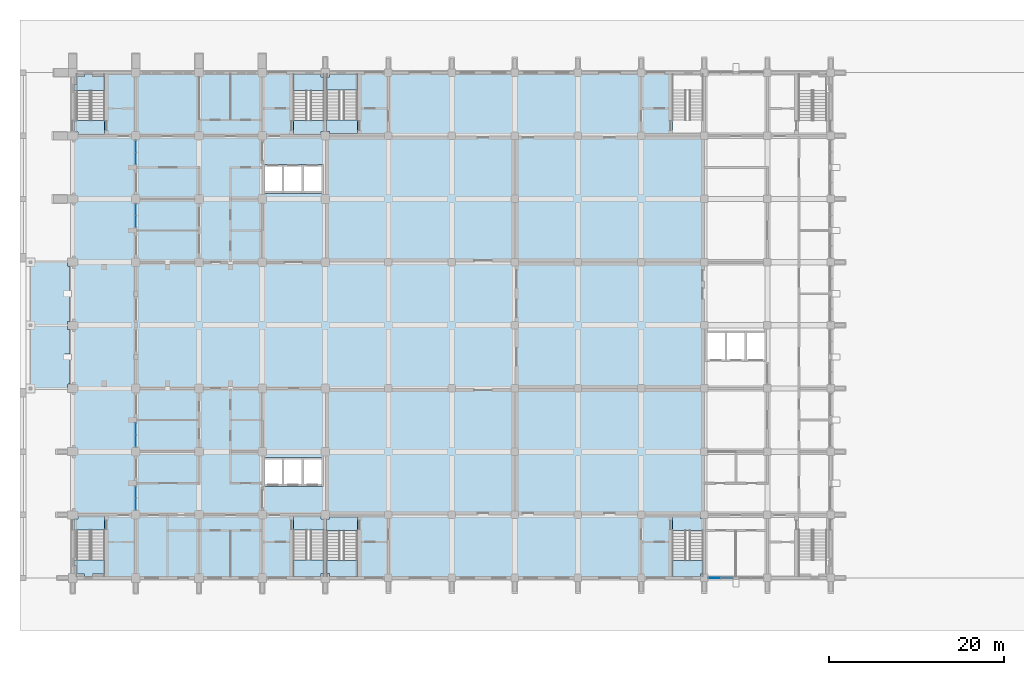
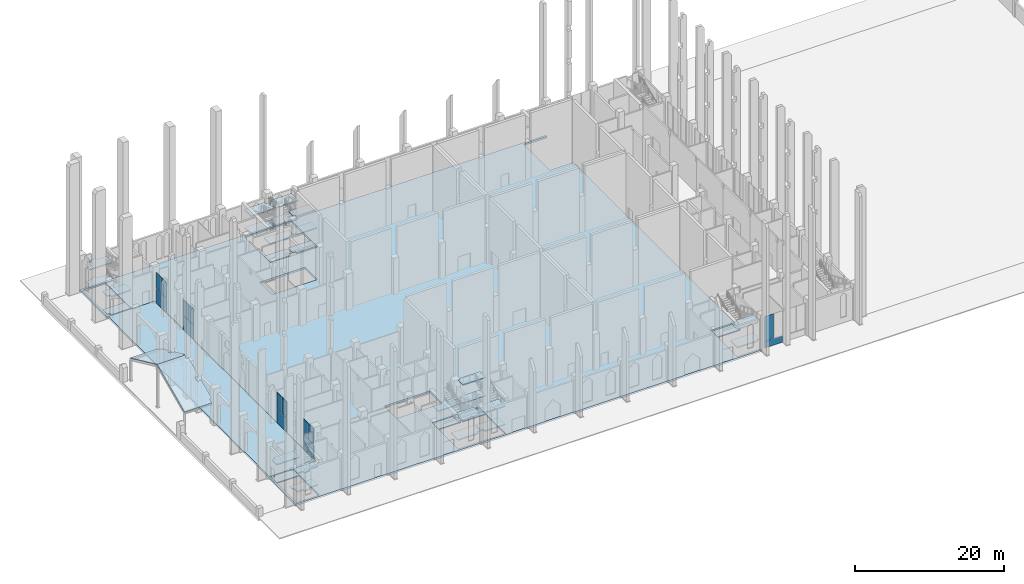
# One storey, part 26 of 50: 33 slabs, 14 plates, 12 elements without a shape of their own.
"""IFC4 building model written with IfcOpenShell, lengths in metres."""

from ifc_helpers import new_model, si_unit, direction, frame, origin, origin_2d, place, context, subcontext, project, spatial, polyline, rectangle, outline, extrude, material, layer, layer_set, type_object, element, aggregate, save


model = new_model("IFC4")

# Units and contexts
model_context = context("Model", 3, precision=1e-05, world=origin(), true_north=direction((0.0, 1.0)))
body_context = subcontext(model_context, "Body", "Model", "MODEL_VIEW")
ifc_project = project(units=[si_unit("LENGTHUNIT", "METRE"), si_unit("AREAUNIT", "SQUARE_METRE"), si_unit("VOLUMEUNIT", "CUBIC_METRE"), si_unit("PLANEANGLEUNIT", "RADIAN"), si_unit("MASSUNIT", "GRAM", prefix="KILO")], contexts=[model_context])

# Site, building, storey
site_placement = place(None, origin())
site = spatial("IfcSite", under=ifc_project, at=site_placement, CompositionType="ELEMENT")
building_placement = place(site_placement, origin())
building = spatial("IfcBuilding", under=site, at=building_placement, Name="Silangan Lancet Faculty of Sciences", CompositionType="ELEMENT")
storey_placement = place(building_placement, origin())
storey = spatial("IfcBuildingStorey", under=building, at=storey_placement, Name="L00", CompositionType="ELEMENT", Elevation=0.0)

# Curtain wall, plate
ifc_material_1 = material(Name="Aluminium framed curtain wall with insulated glass", Category="aluminium")
curtain_wall_type_1 = type_object("IfcCurtainWallType", Name="CW1 Commons and east block glazing", PredefinedType="NOTDEFINED", material=ifc_material_1)
curtain_wall_1_placement = place(storey_placement, origin())
curtain_wall_1 = element("IfcCurtainWall", 1, at=curtain_wall_1_placement, inside=storey, type_object=curtain_wall_type_1, Name="CW1 East block south L00 bay 1", PredefinedType="NOTDEFINED")
ifc_material_2 = material(Name="Insulated glass unit 8+16+8 low-emissivity", Category="glass")
ifc_layer_1 = layer(ifc_material_2, 0.031982421875)
ifc_layer_set_1 = layer_set([ifc_layer_1], Name="Insulated glass unit 8+16+8 low-emissivity")
plate_type_1 = type_object("IfcPlateType", Name="CP1 Panel vision glass 32", PredefinedType="CURTAIN_PANEL", material=ifc_layer_set_1)
plate_1_placement = place(storey_placement, frame((73.15869140625, 0.0, 1.10009765625), z_axis=(0.0, 0.0, 1.0), x_axis=(1.0, 0.0, 0.0)))
plate_1 = element("IfcPlate", 2, at=plate_1_placement, type_object=plate_type_1, Name="CW1 East block south L00 bay 1 panel 2", PredefinedType="CURTAIN_PANEL", context=body_context, shape_type="SweptSolid", body=[
    extrude(rectangle(XDim=1.34765625, YDim=0.031982421875, at=origin_2d()), origin(), (0.0, 0.0, 1.0), 4.050048828125),
])

# Curtain wall, plates
ifc_material_3 = material(Name="Aluminium framed curtain wall with insulated glass", Category="aluminium")
curtain_wall_type_2 = type_object("IfcCurtainWallType", Name="CW4 Arcade shop front glazing", PredefinedType="NOTDEFINED", material=ifc_material_3)
curtain_wall_2_placement = place(storey_placement, origin())
curtain_wall_2 = element("IfcCurtainWall", 3, at=curtain_wall_2_placement, inside=storey, type_object=curtain_wall_type_2, Name="CW4 Shop front south L00 bay 1", PredefinedType="NOTDEFINED")
plate_2_placement = place(storey_placement, frame((7.199951171875, 8.418701171875, 2.39990234375), z_axis=(0.0, 0.0, 1.0), x_axis=(0.0, 1.0, 0.0)))
plate_2 = element("IfcPlate", 4, at=plate_2_placement, type_object=plate_type_1, Name="CW4 Shop front south L00 bay 1 panel 2", PredefinedType="CURTAIN_PANEL", context=body_context, shape_type="SweptSolid", body=[
    extrude(rectangle(XDim=1.28759765625, YDim=0.031982421875, at=origin_2d()), origin(), (0.0, 0.0, 1.0), 2.60009765625),
])
plate_3_placement = place(storey_placement, frame((7.199951171875, 9.78125, 2.39990234375), z_axis=(0.0, 0.0, 1.0), x_axis=(0.0, 1.0, 0.0)))
plate_3 = element("IfcPlate", 5, at=plate_3_placement, type_object=plate_type_1, Name="CW4 Shop front south L00 bay 1 panel 3", PredefinedType="CURTAIN_PANEL", context=body_context, shape_type="SweptSolid", body=[
    extrude(rectangle(XDim=1.28759765625, YDim=0.031982421875, at=origin_2d()), origin(), (0.0, 0.0, 1.0), 2.60009765625),
])

curtain_wall_3_placement = place(storey_placement, origin())
curtain_wall_3 = element("IfcCurtainWall", 6, at=curtain_wall_3_placement, inside=storey, type_object=curtain_wall_type_2, Name="CW4 Shop front south L00 bay 3", PredefinedType="NOTDEFINED")
plate_4_placement = place(storey_placement, frame((7.199951171875, 15.61865234375, 2.39990234375), z_axis=(0.0, 0.0, 1.0), x_axis=(0.0, 1.0, 0.0)))
plate_4 = element("IfcPlate", 7, at=plate_4_placement, type_object=plate_type_1, Name="CW4 Shop front south L00 bay 3 panel 2", PredefinedType="CURTAIN_PANEL", context=body_context, shape_type="SweptSolid", body=[
    extrude(rectangle(XDim=1.28759765625, YDim=0.031982421875, at=origin_2d()), origin(), (0.0, 0.0, 1.0), 2.60009765625),
])
plate_5_placement = place(storey_placement, frame((7.199951171875, 16.981201171875, 2.39990234375), z_axis=(0.0, 0.0, 1.0), x_axis=(0.0, 1.0, 0.0)))
plate_5 = element("IfcPlate", 8, at=plate_5_placement, type_object=plate_type_1, Name="CW4 Shop front south L00 bay 3 panel 3", PredefinedType="CURTAIN_PANEL", context=body_context, shape_type="SweptSolid", body=[
    extrude(rectangle(XDim=1.28759765625, YDim=0.031982421875, at=origin_2d()), origin(), (0.0, 0.0, 1.0), 2.60009765625),
])

curtain_wall_4_placement = place(storey_placement, origin())
curtain_wall_4 = element("IfcCurtainWall", 9, at=curtain_wall_4_placement, inside=storey, type_object=curtain_wall_type_2, Name="CW4 Shop front north L00 bay 2", PredefinedType="NOTDEFINED")
plate_6_placement = place(storey_placement, frame((7.199951171875, 40.618896484375, 2.39990234375), z_axis=(0.0, 0.0, 1.0), x_axis=(0.0, 1.0, 0.0)))
plate_6 = element("IfcPlate", 10, at=plate_6_placement, type_object=plate_type_1, Name="CW4 Shop front north L00 bay 2 panel 2", PredefinedType="CURTAIN_PANEL", context=body_context, shape_type="SweptSolid", body=[
    extrude(rectangle(XDim=1.287353515625, YDim=0.031982421875, at=origin_2d()), origin(), (0.0, 0.0, 1.0), 2.60009765625),
])
plate_7_placement = place(storey_placement, frame((7.199951171875, 41.981201171875, 2.39990234375), z_axis=(0.0, 0.0, 1.0), x_axis=(0.0, 1.0, 0.0)))
plate_7 = element("IfcPlate", 11, at=plate_7_placement, type_object=plate_type_1, Name="CW4 Shop front north L00 bay 2 panel 3", PredefinedType="CURTAIN_PANEL", context=body_context, shape_type="SweptSolid", body=[
    extrude(rectangle(XDim=1.287353515625, YDim=0.031982421875, at=origin_2d()), origin(), (0.0, 0.0, 1.0), 2.60009765625),
])

curtain_wall_5_placement = place(storey_placement, origin())
curtain_wall_5 = element("IfcCurtainWall", 12, at=curtain_wall_5_placement, inside=storey, type_object=curtain_wall_type_2, Name="CW4 Shop front north L00 bay 4", PredefinedType="NOTDEFINED")
plate_8_placement = place(storey_placement, frame((7.199951171875, 47.81884765625, 2.39990234375), z_axis=(0.0, 0.0, 1.0), x_axis=(0.0, 1.0, 0.0)))
plate_8 = element("IfcPlate", 13, at=plate_8_placement, type_object=plate_type_1, Name="CW4 Shop front north L00 bay 4 panel 2", PredefinedType="CURTAIN_PANEL", context=body_context, shape_type="SweptSolid", body=[
    extrude(rectangle(XDim=1.28759765625, YDim=0.031982421875, at=origin_2d()), origin(), (0.0, 0.0, 1.0), 2.60009765625),
])
plate_9_placement = place(storey_placement, frame((7.199951171875, 49.18115234375, 2.39990234375), z_axis=(0.0, 0.0, 1.0), x_axis=(0.0, 1.0, 0.0)))
plate_9 = element("IfcPlate", 14, at=plate_9_placement, type_object=plate_type_1, Name="CW4 Shop front north L00 bay 4 panel 3", PredefinedType="CURTAIN_PANEL", context=body_context, shape_type="SweptSolid", body=[
    extrude(rectangle(XDim=1.28759765625, YDim=0.031982421875, at=origin_2d()), origin(), (0.0, 0.0, 1.0), 2.60009765625),
])

# Plate
ifc_material_4 = material(Name="Laminated insulated glass unit 10.76+14+8", Category="glass")
ifc_layer_2 = layer(ifc_material_4, 0.035888671875)
ifc_layer_set_2 = layer_set([ifc_layer_2], Name="Laminated insulated glass unit 10.76+14+8")
plate_type_2 = type_object("IfcPlateType", Name="CP2 Panel laminated glass 36", PredefinedType="CURTAIN_PANEL", material=ifc_layer_set_2)
plate_10_placement = place(storey_placement, frame((73.862548828125, 0.0, 0.0), z_axis=(0.0, 0.0, 1.0), x_axis=(1.0, 0.0, 0.0)))
plate_10 = element("IfcPlate", 15, at=plate_10_placement, type_object=plate_type_2, Name="CW1 East block south L00 bay 1 panel 1", PredefinedType="CURTAIN_PANEL", context=body_context, shape_type="SweptSolid", body=[
    extrude(rectangle(XDim=2.755126953125, YDim=0.035888671875, at=origin_2d()), origin(), (0.0, 0.0, 1.0), 1.0400390625),
])

aggregate(curtain_wall_1, [plate_10, plate_1])

plate_11_placement = place(storey_placement, frame((7.199951171875, 9.10009765625, 0.0), z_axis=(0.0, 0.0, 1.0), x_axis=(0.0, 1.0, 0.0)))
plate_11 = element("IfcPlate", 16, at=plate_11_placement, type_object=plate_type_2, Name="CW4 Shop front south L00 bay 1 panel 1", PredefinedType="CURTAIN_PANEL", context=body_context, shape_type="SweptSolid", body=[
    extrude(rectangle(XDim=2.64990234375, YDim=0.035888671875, at=origin_2d()), origin(), (0.0, 0.0, 1.0), 2.324951171875),
])

aggregate(curtain_wall_2, [plate_11, plate_2, plate_3])

plate_12_placement = place(storey_placement, frame((7.199951171875, 16.300048828125, 0.0), z_axis=(0.0, 0.0, 1.0), x_axis=(0.0, 1.0, 0.0)))
plate_12 = element("IfcPlate", 17, at=plate_12_placement, type_object=plate_type_2, Name="CW4 Shop front south L00 bay 3 panel 1", PredefinedType="CURTAIN_PANEL", context=body_context, shape_type="SweptSolid", body=[
    extrude(rectangle(XDim=2.64990234375, YDim=0.035888671875, at=origin_2d()), origin(), (0.0, 0.0, 1.0), 2.324951171875),
])

aggregate(curtain_wall_3, [plate_12, plate_4, plate_5])

plate_13_placement = place(storey_placement, frame((7.199951171875, 41.300048828125, 0.0), z_axis=(0.0, 0.0, 1.0), x_axis=(0.0, 1.0, 0.0)))
plate_13 = element("IfcPlate", 18, at=plate_13_placement, type_object=plate_type_2, Name="CW4 Shop front north L00 bay 2 panel 1", PredefinedType="CURTAIN_PANEL", context=body_context, shape_type="SweptSolid", body=[
    extrude(rectangle(XDim=2.64990234375, YDim=0.035888671875, at=origin_2d()), origin(), (0.0, 0.0, 1.0), 2.324951171875),
])

aggregate(curtain_wall_4, [plate_13, plate_6, plate_7])

plate_14_placement = place(storey_placement, frame((7.199951171875, 48.5, 0.0), z_axis=(0.0, 0.0, 1.0), x_axis=(0.0, 1.0, 0.0)))
plate_14 = element("IfcPlate", 19, at=plate_14_placement, type_object=plate_type_2, Name="CW4 Shop front north L00 bay 4 panel 1", PredefinedType="CURTAIN_PANEL", context=body_context, shape_type="SweptSolid", body=[
    extrude(rectangle(XDim=2.64990234375, YDim=0.035888671875, at=origin_2d()), origin(), (0.0, 0.0, 1.0), 2.324951171875),
])

aggregate(curtain_wall_5, [plate_14, plate_8, plate_9])

# Slabs
ifc_material_5 = material(Name="Insulated cold-formed steel roof sheeting", Category="steel")
ifc_layer_3 = layer(ifc_material_5, 0.10009765625)
ifc_layer_set_3 = layer_set([ifc_layer_3], Name="Insulated cold-formed steel roof sheeting")
slab_type_1 = type_object("IfcSlabType", Name="Roof sheeting panel 100", PredefinedType="ROOF", material=ifc_layer_set_3)
slab_1_placement = place(storey_placement, frame((-0.300048828125, 22.110107421875, 3.89208984375), z_axis=(9.286045e-06, -0.417897271959, 0.90849428727), x_axis=(-0.999999999957, -3.880613e-06, 8.436318e-06)))
element("IfcSlab", 20, at=slab_1_placement, inside=storey, type_object=slab_type_1, Name="Porch roof plate south", PredefinedType="ROOF", context=body_context, shape_type="SweptSolid", body=[
    extrude(outline(polyline([(0.0, 0.0), (0.20996093749094746, -8.892191584945048e-23), (0.20996093810414776, 0.05505949034773103), (0.310058594349832, 0.05505949034773103), (0.3100585946245118, 0.6989254830509682), (4.57495117256563, 0.6989254830509682), (4.5749511724699765, -7.363807513214793), (0.31005859452885837, -7.363807513214793), (0.310058593744245, -6.857479346199327), (7.613208928704913e-12, -6.857479346199327), (4.012653788056938e-10, -3.7423684983784606), (0.6098632816249709, -3.7423684983784606), (0.609863282390669, -3.0598295571100222), (1.1669633292287873e-09, -3.0598295571100222), (0.0, 0.0)])), origin(), (0.0, 0.0, -1.0), 0.10009765625),
])
slab_2_placement = place(storey_placement, frame((-0.300048828125, 29.260009765625, 6.7578125), z_axis=(1.9939942e-05, 0.417897271894, 0.908494287129), x_axis=(-0.999999999801, 8.332847e-06, 1.8115323e-05)))
element("IfcSlab", 21, at=slab_2_placement, inside=storey, type_object=slab_type_1, Name="Porch roof plate north", PredefinedType="ROOF", context=body_context, shape_type="SweptSolid", body=[
    extrude(outline(polyline([(0.0, 0.0), (0.31005859368836014, 2.626298444855863e-22), (0.31005859537316205, 0.506328167015466), (4.574951172650299, 0.506328167015466), (4.574951172855695, -7.556404829250296), (0.31005859557855886, -7.556404829250296), (0.3100585949887385, -6.912538836547058), (0.209960938758638, -6.912538836547058), (0.20996093744191177, -6.8574793461993275), (-1.6347858613693922e-11, -6.8574793461993275), (4.550882674446855e-10, -3.797427988726192), (0.6098632815838471, -3.797427988726192), (0.6098632799396624, -3.1148890474577535), (-1.1890964591658958e-09, -3.1148890474577535), (0.0, 0.0)])), origin(), (0.0, 0.0, -1.0), 0.10009765625),
])
ifc_material_6 = material(Name="Concrete C35/45", Category="concrete")
ifc_layer_4 = layer(ifc_material_6, 0.300048828125)
ifc_layer_set_4 = layer_set([ifc_layer_4], Name="Concrete C35/45")
slab_type_2 = type_object("IfcSlabType", Name="SLAB FLOOR 300", PredefinedType="FLOOR", material=ifc_layer_set_4)
slab_3_placement = place(storey_placement, frame((0.0, 0.0, -0.300048828125)))
element("IfcSlab", 22, at=slab_3_placement, inside=storey, type_object=slab_type_2, Name="SLAB-L00-WEST", PredefinedType="FLOOR", context=body_context, shape_type="SweptSolid", body=[
    extrude(outline(polyline([(-0.14990234375, -0.14990234375), (72.0, -0.14990234375), (72.0, 0.14990234375), (68.35009765625, 0.14990234375), (68.35009765625, 7.199951171875), (72.0, 7.199951171875), (72.0, 50.39990234375), (68.35009765625, 50.39990234375), (68.35009765625, 57.449951171875), (72.0, 57.449951171875), (72.0, 57.75), (-0.14990234375, 57.75), (-0.14990234375, 50.39990234375), (0.14990234375, 50.39990234375), (0.14990234375, 57.449951171875), (3.64990234375, 57.449951171875), (3.64990234375, 50.39990234375), (7.199951171875, 50.39990234375), (7.199951171875, 7.199951171875), (3.64990234375, 7.199951171875), (3.64990234375, 0.14990234375), (0.14990234375, 0.14990234375), (0.14990234375, 7.199951171875), (-0.14990234375, 7.199951171875), (-0.14990234375, -0.14990234375)]), holes=[polyline([(32.449951171875, 7.199951171875), (32.449951171875, 0.14990234375), (25.14990234375, 0.14990234375), (25.14990234375, 7.199951171875), (32.449951171875, 7.199951171875)]), polyline([(21.60009765625, 13.75), (28.60009765625, 13.75), (28.60009765625, 10.449951171875), (21.60009765625, 10.449951171875), (21.60009765625, 13.75)]), polyline([(21.60009765625, 47.14990234375), (28.60009765625, 47.14990234375), (28.60009765625, 43.85009765625), (21.60009765625, 43.85009765625), (21.60009765625, 47.14990234375)]), polyline([(25.14990234375, 57.449951171875), (32.449951171875, 57.449951171875), (32.449951171875, 50.39990234375), (25.14990234375, 50.39990234375), (25.14990234375, 57.449951171875)])]), origin(), (0.0, 0.0, 1.0), 0.300048828125),
])
slab_4_placement = place(storey_placement, frame((0.0, 0.0, -0.300048828125)))
element("IfcSlab", 23, at=slab_4_placement, inside=storey, type_object=slab_type_2, Name="Arcade floor", PredefinedType="FLOOR", context=body_context, shape_type="SweptSolid", body=[
    extrude(outline(polyline([(7.199951171875, 7.199951171875), (7.199951171875, 50.39990234375), (0.0, 50.39990234375), (0.0, 7.199951171875), (7.199951171875, 7.199951171875)])), origin(), (0.0, 0.0, 1.0), 0.300048828125),
])

# Stair, slabs
ifc_material_7 = material(Name="Concrete C40/50", Category="concrete")
stair_type = type_object("IfcStairType", Name="TURRET STAIR 1550 FOUR-FLIGHT", PredefinedType="DOUBLE_RETURN_STAIR", material=ifc_material_7)
stair_1_placement = place(storey_placement, origin())
stair_1 = element("IfcStair", 24, at=stair_1_placement, inside=storey, type_object=stair_type, Name="NAB-A stair L00", PredefinedType="DOUBLE_RETURN_STAIR")
ifc_material_8 = material(Name="Concrete C40/50", Category="concrete")
ifc_layer_5 = layer(ifc_material_8, 0.179931640625)
ifc_layer_set_5 = layer_set([ifc_layer_5], Name="Concrete C40/50")
slab_type_3 = type_object("IfcSlabType", Name="TURRET STAIR LANDING RC 180", PredefinedType="LANDING", material=ifc_layer_set_5)
slab_5_placement = place(storey_placement, frame((0.0, 0.0, -0.179931640625)))
slab_5 = element("IfcSlab", 25, at=slab_5_placement, type_object=slab_type_3, Name="STR7 landing 1", PredefinedType="LANDING", context=body_context, shape_type="SweptSolid", body=[
    extrude(outline(polyline([(32.449951171875, 52.199951171875), (32.449951171875, 50.64990234375), (29.300048828125, 50.64990234375), (29.300048828125, 50.89990234375), (28.925048828125, 50.89990234375), (28.925048828125, 52.199951171875), (32.449951171875, 52.199951171875)])), origin(), (0.0, 0.0, 1.0), 0.179931640625),
])
slab_6_placement = place(storey_placement, frame((0.0, 0.0, 1.320068359375)))
slab_6 = element("IfcSlab", 26, at=slab_6_placement, type_object=slab_type_3, Name="STR7 landing 2", PredefinedType="LANDING", context=body_context, shape_type="SweptSolid", body=[
    extrude(outline(polyline([(28.925048828125, 55.60009765625), (28.925048828125, 57.10009765625), (29.300048828125, 57.10009765625), (29.300048828125, 57.449951171875), (32.449951171875, 57.449951171875), (32.449951171875, 55.60009765625), (28.925048828125, 55.60009765625)])), origin(), (0.0, 0.0, 1.0), 0.179931640625),
])
slab_7_placement = place(storey_placement, frame((0.0, 0.0, 2.820068359375)))
slab_7 = element("IfcSlab", 27, at=slab_7_placement, type_object=slab_type_3, Name="STR7 landing 3", PredefinedType="LANDING", context=body_context, shape_type="SweptSolid", body=[
    extrude(outline(polyline([(32.449951171875, 52.199951171875), (32.449951171875, 50.64990234375), (29.300048828125, 50.64990234375), (29.300048828125, 50.89990234375), (28.925048828125, 50.89990234375), (28.925048828125, 52.199951171875), (32.449951171875, 52.199951171875)])), origin(), (0.0, 0.0, 1.0), 0.179931640625),
])
slab_8_placement = place(storey_placement, frame((0.0, 0.0, 4.320068359375)))
slab_8 = element("IfcSlab", 28, at=slab_8_placement, type_object=slab_type_3, Name="STR7 landing 4", PredefinedType="LANDING", context=body_context, shape_type="SweptSolid", body=[
    extrude(outline(polyline([(28.925048828125, 55.60009765625), (28.925048828125, 57.10009765625), (29.300048828125, 57.10009765625), (29.300048828125, 57.449951171875), (32.449951171875, 57.449951171875), (32.449951171875, 55.60009765625), (28.925048828125, 55.60009765625)])), origin(), (0.0, 0.0, 1.0), 0.179931640625),
])
slab_9_placement = place(storey_placement, frame((0.0, 0.0, 5.820068359375)))
slab_9 = element("IfcSlab", 29, at=slab_9_placement, type_object=slab_type_3, Name="STR7 landing 5", PredefinedType="LANDING", context=body_context, shape_type="SweptSolid", body=[
    extrude(outline(polyline([(32.449951171875, 52.199951171875), (32.449951171875, 50.64990234375), (29.300048828125, 50.64990234375), (29.300048828125, 50.89990234375), (28.925048828125, 50.89990234375), (28.925048828125, 52.199951171875), (32.449951171875, 52.199951171875)])), origin(), (0.0, 0.0, 1.0), 0.179931640625),
])
aggregate(stair_1, [slab_5, slab_6, slab_7, slab_8, slab_9])

stair_2_placement = place(storey_placement, origin())
stair_2 = element("IfcStair", 30, at=stair_2_placement, inside=storey, type_object=stair_type, Name="NT-A stair L00", PredefinedType="DOUBLE_RETURN_STAIR")
slab_10_placement = place(storey_placement, frame((0.0, 0.0, -0.179931640625)))
slab_10 = element("IfcSlab", 31, at=slab_10_placement, type_object=slab_type_3, Name="STR3 landing 1", PredefinedType="LANDING", context=body_context, shape_type="SweptSolid", body=[
    extrude(outline(polyline([(0.60009765625, 50.85009765625), (0.5, 50.85009765625), (0.5, 50.89990234375), (0.14990234375, 50.89990234375), (0.14990234375, 52.110107421875), (0.449951171875, 52.110107421875), (0.449951171875, 52.14990234375), (3.64990234375, 52.14990234375), (3.64990234375, 50.52490234375), (0.60009765625, 50.52490234375), (0.60009765625, 50.85009765625)])), origin(), (0.0, 0.0, 1.0), 0.179931640625),
])
slab_11_placement = place(storey_placement, frame((0.0, 0.0, 1.320068359375)))
slab_11 = element("IfcSlab", 32, at=slab_11_placement, type_object=slab_type_3, Name="STR3 landing 2", PredefinedType="LANDING", context=body_context, shape_type="SweptSolid", body=[
    extrude(outline(polyline([(0.449951171875, 56.25), (0.449951171875, 57.10009765625), (0.5, 57.10009765625), (0.5, 57.14990234375), (1.35009765625, 57.14990234375), (1.35009765625, 57.449951171875), (2.25, 57.449951171875), (2.25, 57.14990234375), (3.64990234375, 57.14990234375), (3.64990234375, 55.550048828125), (0.14990234375, 55.550048828125), (0.14990234375, 56.25), (0.449951171875, 56.25)])), origin(), (0.0, 0.0, 1.0), 0.179931640625),
])
slab_12_placement = place(storey_placement, frame((0.0, 0.0, 2.820068359375)))
slab_12 = element("IfcSlab", 33, at=slab_12_placement, type_object=slab_type_3, Name="STR3 landing 3", PredefinedType="LANDING", context=body_context, shape_type="SweptSolid", body=[
    extrude(outline(polyline([(0.60009765625, 50.85009765625), (0.5, 50.85009765625), (0.5, 50.89990234375), (0.14990234375, 50.89990234375), (0.14990234375, 52.110107421875), (0.449951171875, 52.110107421875), (0.449951171875, 52.14990234375), (3.64990234375, 52.14990234375), (3.64990234375, 50.52490234375), (0.60009765625, 50.52490234375), (0.60009765625, 50.85009765625)])), origin(), (0.0, 0.0, 1.0), 0.179931640625),
])
slab_13_placement = place(storey_placement, frame((0.0, 0.0, 4.320068359375)))
slab_13 = element("IfcSlab", 34, at=slab_13_placement, type_object=slab_type_3, Name="STR3 landing 4", PredefinedType="LANDING", context=body_context, shape_type="SweptSolid", body=[
    extrude(outline(polyline([(0.449951171875, 56.25), (0.449951171875, 57.10009765625), (0.5, 57.10009765625), (0.5, 57.14990234375), (1.35009765625, 57.14990234375), (1.35009765625, 57.449951171875), (2.25, 57.449951171875), (2.25, 57.14990234375), (3.64990234375, 57.14990234375), (3.64990234375, 55.550048828125), (0.14990234375, 55.550048828125), (0.14990234375, 56.25), (0.449951171875, 56.25)])), origin(), (0.0, 0.0, 1.0), 0.179931640625),
])
aggregate(stair_2, [slab_10, slab_11, slab_12, slab_13])

stair_3_placement = place(storey_placement, origin())
stair_3 = element("IfcStair", 35, at=stair_3_placement, inside=storey, type_object=stair_type, Name="NT-B stair L00", PredefinedType="DOUBLE_RETURN_STAIR")
slab_14_placement = place(storey_placement, frame((0.0, 0.0, -0.179931640625)))
slab_14 = element("IfcSlab", 36, at=slab_14_placement, type_object=slab_type_3, Name="STR4 landing 1", PredefinedType="LANDING", context=body_context, shape_type="SweptSolid", body=[
    extrude(outline(polyline([(28.675048828125, 52.14990234375), (28.675048828125, 50.89990234375), (28.300048828125, 50.89990234375), (28.300048828125, 50.52490234375), (25.14990234375, 50.52490234375), (25.14990234375, 52.14990234375), (28.675048828125, 52.14990234375)])), origin(), (0.0, 0.0, 1.0), 0.179931640625),
])
slab_15_placement = place(storey_placement, frame((0.0, 0.0, 1.320068359375)))
slab_15 = element("IfcSlab", 37, at=slab_15_placement, type_object=slab_type_3, Name="STR4 landing 2", PredefinedType="LANDING", context=body_context, shape_type="SweptSolid", body=[
    extrude(outline(polyline([(28.675048828125, 57.10009765625), (28.675048828125, 55.550048828125), (25.14990234375, 55.550048828125), (25.14990234375, 57.449951171875), (28.300048828125, 57.449951171875), (28.300048828125, 57.10009765625), (28.675048828125, 57.10009765625)])), origin(), (0.0, 0.0, 1.0), 0.179931640625),
])
slab_16_placement = place(storey_placement, frame((0.0, 0.0, 2.820068359375)))
slab_16 = element("IfcSlab", 38, at=slab_16_placement, type_object=slab_type_3, Name="STR4 landing 3", PredefinedType="LANDING", context=body_context, shape_type="SweptSolid", body=[
    extrude(outline(polyline([(28.675048828125, 52.14990234375), (28.675048828125, 50.89990234375), (28.300048828125, 50.89990234375), (28.300048828125, 50.52490234375), (25.14990234375, 50.52490234375), (25.14990234375, 52.14990234375), (28.675048828125, 52.14990234375)])), origin(), (0.0, 0.0, 1.0), 0.179931640625),
])
slab_17_placement = place(storey_placement, frame((0.0, 0.0, 4.320068359375)))
slab_17 = element("IfcSlab", 39, at=slab_17_placement, type_object=slab_type_3, Name="STR4 landing 4", PredefinedType="LANDING", context=body_context, shape_type="SweptSolid", body=[
    extrude(outline(polyline([(28.675048828125, 57.10009765625), (28.675048828125, 55.550048828125), (25.14990234375, 55.550048828125), (25.14990234375, 57.449951171875), (28.300048828125, 57.449951171875), (28.300048828125, 57.10009765625), (28.675048828125, 57.10009765625)])), origin(), (0.0, 0.0, 1.0), 0.179931640625),
])
aggregate(stair_3, [slab_14, slab_15, slab_16, slab_17])

stair_4_placement = place(storey_placement, origin())
stair_4 = element("IfcStair", 40, at=stair_4_placement, inside=storey, type_object=stair_type, Name="SAB-A stair L00", PredefinedType="DOUBLE_RETURN_STAIR")
slab_18_placement = place(storey_placement, frame((0.0, 0.0, -0.179931640625)))
slab_18 = element("IfcSlab", 41, at=slab_18_placement, type_object=slab_type_3, Name="STR5 landing 1", PredefinedType="LANDING", context=body_context, shape_type="SweptSolid", body=[
    extrude(outline(polyline([(32.449951171875, 6.949951171875), (32.449951171875, 5.39990234375), (28.925048828125, 5.39990234375), (28.925048828125, 6.699951171875), (29.300048828125, 6.699951171875), (29.300048828125, 6.949951171875), (32.449951171875, 6.949951171875)])), origin(), (0.0, 0.0, 1.0), 0.179931640625),
])
slab_19_placement = place(storey_placement, frame((0.0, 0.0, 1.320068359375)))
slab_19 = element("IfcSlab", 42, at=slab_19_placement, type_object=slab_type_3, Name="STR5 landing 2", PredefinedType="LANDING", context=body_context, shape_type="SweptSolid", body=[
    extrude(outline(polyline([(32.449951171875, 2.0), (32.449951171875, 0.14990234375), (29.300048828125, 0.14990234375), (29.300048828125, 0.5), (28.925048828125, 0.5), (28.925048828125, 2.0), (32.449951171875, 2.0)])), origin(), (0.0, 0.0, 1.0), 0.179931640625),
])
slab_20_placement = place(storey_placement, frame((0.0, 0.0, 2.820068359375)))
slab_20 = element("IfcSlab", 43, at=slab_20_placement, type_object=slab_type_3, Name="STR5 landing 3", PredefinedType="LANDING", context=body_context, shape_type="SweptSolid", body=[
    extrude(outline(polyline([(32.449951171875, 6.949951171875), (32.449951171875, 5.39990234375), (28.925048828125, 5.39990234375), (28.925048828125, 6.699951171875), (29.300048828125, 6.699951171875), (29.300048828125, 6.949951171875), (32.449951171875, 6.949951171875)])), origin(), (0.0, 0.0, 1.0), 0.179931640625),
])
slab_21_placement = place(storey_placement, frame((0.0, 0.0, 4.320068359375)))
slab_21 = element("IfcSlab", 44, at=slab_21_placement, type_object=slab_type_3, Name="STR5 landing 4", PredefinedType="LANDING", context=body_context, shape_type="SweptSolid", body=[
    extrude(outline(polyline([(32.449951171875, 2.0), (32.449951171875, 0.14990234375), (29.300048828125, 0.14990234375), (29.300048828125, 0.5), (28.925048828125, 0.5), (28.925048828125, 2.0), (32.449951171875, 2.0)])), origin(), (0.0, 0.0, 1.0), 0.179931640625),
])
slab_22_placement = place(storey_placement, frame((0.0, 0.0, 5.820068359375)))
slab_22 = element("IfcSlab", 45, at=slab_22_placement, type_object=slab_type_3, Name="STR5 landing 5", PredefinedType="LANDING", context=body_context, shape_type="SweptSolid", body=[
    extrude(outline(polyline([(32.449951171875, 6.949951171875), (32.449951171875, 5.39990234375), (28.925048828125, 5.39990234375), (28.925048828125, 6.699951171875), (29.300048828125, 6.699951171875), (29.300048828125, 6.949951171875), (32.449951171875, 6.949951171875)])), origin(), (0.0, 0.0, 1.0), 0.179931640625),
])
aggregate(stair_4, [slab_18, slab_19, slab_20, slab_21, slab_22])

stair_5_placement = place(storey_placement, origin())
stair_5 = element("IfcStair", 46, at=stair_5_placement, inside=storey, type_object=stair_type, Name="SAB-B stair L00", PredefinedType="DOUBLE_RETURN_STAIR")
slab_23_placement = place(storey_placement, frame((0.0, 0.0, -0.179931640625)))
slab_23 = element("IfcSlab", 47, at=slab_23_placement, type_object=slab_type_3, Name="STR6 landing 1", PredefinedType="LANDING", context=body_context, shape_type="SweptSolid", body=[
    extrude(outline(polyline([(68.35009765625, 5.39990234375), (68.35009765625, 6.949951171875), (71.574951171875, 6.949951171875), (71.574951171875, 6.77490234375), (71.875, 6.77490234375), (71.875, 5.39990234375), (68.35009765625, 5.39990234375)])), origin(), (0.0, 0.0, 1.0), 0.179931640625),
])
slab_24_placement = place(storey_placement, frame((0.0, 0.0, 1.320068359375)))
slab_24 = element("IfcSlab", 48, at=slab_24_placement, type_object=slab_type_3, Name="STR6 landing 2", PredefinedType="LANDING", context=body_context, shape_type="SweptSolid", body=[
    extrude(outline(polyline([(68.35009765625, 0.14990234375), (68.35009765625, 2.0), (71.875, 2.0), (71.875, 0.425048828125), (71.574951171875, 0.425048828125), (71.574951171875, 0.14990234375), (68.35009765625, 0.14990234375)])), origin(), (0.0, 0.0, 1.0), 0.179931640625),
])
slab_25_placement = place(storey_placement, frame((0.0, 0.0, 4.320068359375)))
slab_25 = element("IfcSlab", 49, at=slab_25_placement, type_object=slab_type_3, Name="STR6 landing 4", PredefinedType="LANDING", context=body_context, shape_type="SweptSolid", body=[
    extrude(outline(polyline([(68.35009765625, 0.14990234375), (68.35009765625, 2.0), (71.875, 2.0), (71.875, 0.425048828125), (71.574951171875, 0.425048828125), (71.574951171875, 0.14990234375), (68.35009765625, 0.14990234375)])), origin(), (0.0, 0.0, 1.0), 0.179931640625),
])
aggregate(stair_5, [slab_23, slab_24, slab_25])

stair_6_placement = place(storey_placement, origin())
stair_6 = element("IfcStair", 50, at=stair_6_placement, inside=storey, type_object=stair_type, Name="ST-A stair L00", PredefinedType="DOUBLE_RETURN_STAIR")
slab_26_placement = place(storey_placement, frame((0.0, 0.0, -0.179931640625)))
slab_26 = element("IfcSlab", 51, at=slab_26_placement, type_object=slab_type_3, Name="STR1 landing 1", PredefinedType="LANDING", context=body_context, shape_type="SweptSolid", body=[
    extrude(outline(polyline([(0.60009765625, 6.75), (0.60009765625, 7.074951171875), (3.64990234375, 7.074951171875), (3.64990234375, 5.449951171875), (0.449951171875, 5.449951171875), (0.449951171875, 5.489990234375), (0.14990234375, 5.489990234375), (0.14990234375, 6.699951171875), (0.5, 6.699951171875), (0.5, 6.75), (0.60009765625, 6.75)])), origin(), (0.0, 0.0, 1.0), 0.179931640625),
])
slab_27_placement = place(storey_placement, frame((0.0, 0.0, 1.320068359375)))
slab_27 = element("IfcSlab", 52, at=slab_27_placement, type_object=slab_type_3, Name="STR1 landing 2", PredefinedType="LANDING", context=body_context, shape_type="SweptSolid", body=[
    extrude(outline(polyline([(1.35009765625, 0.14990234375), (1.35009765625, 0.449951171875), (0.5, 0.449951171875), (0.5, 0.5), (0.449951171875, 0.5), (0.449951171875, 1.35009765625), (0.14990234375, 1.35009765625), (0.14990234375, 2.050048828125), (3.64990234375, 2.050048828125), (3.64990234375, 0.449951171875), (2.25, 0.449951171875), (2.25, 0.14990234375), (1.35009765625, 0.14990234375)])), origin(), (0.0, 0.0, 1.0), 0.179931640625),
])
slab_28_placement = place(storey_placement, frame((0.0, 0.0, 2.820068359375)))
slab_28 = element("IfcSlab", 53, at=slab_28_placement, type_object=slab_type_3, Name="STR1 landing 3", PredefinedType="LANDING", context=body_context, shape_type="SweptSolid", body=[
    extrude(outline(polyline([(0.60009765625, 6.75), (0.60009765625, 7.074951171875), (3.64990234375, 7.074951171875), (3.64990234375, 5.449951171875), (0.449951171875, 5.449951171875), (0.449951171875, 5.489990234375), (0.14990234375, 5.489990234375), (0.14990234375, 6.699951171875), (0.5, 6.699951171875), (0.5, 6.75), (0.60009765625, 6.75)])), origin(), (0.0, 0.0, 1.0), 0.179931640625),
])
slab_29_placement = place(storey_placement, frame((0.0, 0.0, 4.320068359375)))
slab_29 = element("IfcSlab", 54, at=slab_29_placement, type_object=slab_type_3, Name="STR1 landing 4", PredefinedType="LANDING", context=body_context, shape_type="SweptSolid", body=[
    extrude(outline(polyline([(1.35009765625, 0.14990234375), (1.35009765625, 0.449951171875), (0.5, 0.449951171875), (0.5, 0.5), (0.449951171875, 0.5), (0.449951171875, 1.35009765625), (0.14990234375, 1.35009765625), (0.14990234375, 2.050048828125), (3.64990234375, 2.050048828125), (3.64990234375, 0.449951171875), (2.25, 0.449951171875), (2.25, 0.14990234375), (1.35009765625, 0.14990234375)])), origin(), (0.0, 0.0, 1.0), 0.179931640625),
])
aggregate(stair_6, [slab_26, slab_27, slab_28, slab_29])

stair_7_placement = place(storey_placement, origin())
stair_7 = element("IfcStair", 55, at=stair_7_placement, inside=storey, type_object=stair_type, Name="ST-B stair L00", PredefinedType="DOUBLE_RETURN_STAIR")
slab_30_placement = place(storey_placement, frame((0.0, 0.0, -0.179931640625)))
slab_30 = element("IfcSlab", 56, at=slab_30_placement, type_object=slab_type_3, Name="STR2 landing 1", PredefinedType="LANDING", context=body_context, shape_type="SweptSolid", body=[
    extrude(outline(polyline([(28.675048828125, 6.699951171875), (28.675048828125, 5.449951171875), (25.14990234375, 5.449951171875), (25.14990234375, 7.074951171875), (28.300048828125, 7.074951171875), (28.300048828125, 6.699951171875), (28.675048828125, 6.699951171875)])), origin(), (0.0, 0.0, 1.0), 0.179931640625),
])
slab_31_placement = place(storey_placement, frame((0.0, 0.0, 1.320068359375)))
slab_31 = element("IfcSlab", 57, at=slab_31_placement, type_object=slab_type_3, Name="STR2 landing 2", PredefinedType="LANDING", context=body_context, shape_type="SweptSolid", body=[
    extrude(outline(polyline([(28.675048828125, 2.050048828125), (28.675048828125, 0.5), (28.300048828125, 0.5), (28.300048828125, 0.14990234375), (25.14990234375, 0.14990234375), (25.14990234375, 2.050048828125), (28.675048828125, 2.050048828125)])), origin(), (0.0, 0.0, 1.0), 0.179931640625),
])
slab_32_placement = place(storey_placement, frame((0.0, 0.0, 2.820068359375)))
slab_32 = element("IfcSlab", 58, at=slab_32_placement, type_object=slab_type_3, Name="STR2 landing 3", PredefinedType="LANDING", context=body_context, shape_type="SweptSolid", body=[
    extrude(outline(polyline([(28.675048828125, 6.699951171875), (28.675048828125, 5.449951171875), (25.14990234375, 5.449951171875), (25.14990234375, 7.074951171875), (28.300048828125, 7.074951171875), (28.300048828125, 6.699951171875), (28.675048828125, 6.699951171875)])), origin(), (0.0, 0.0, 1.0), 0.179931640625),
])
slab_33_placement = place(storey_placement, frame((0.0, 0.0, 4.320068359375)))
slab_33 = element("IfcSlab", 59, at=slab_33_placement, type_object=slab_type_3, Name="STR2 landing 4", PredefinedType="LANDING", context=body_context, shape_type="SweptSolid", body=[
    extrude(outline(polyline([(28.675048828125, 2.050048828125), (28.675048828125, 0.5), (28.300048828125, 0.5), (28.300048828125, 0.14990234375), (25.14990234375, 0.14990234375), (25.14990234375, 2.050048828125), (28.675048828125, 2.050048828125)])), origin(), (0.0, 0.0, 1.0), 0.179931640625),
])
aggregate(stair_7, [slab_30, slab_31, slab_32, slab_33])

save(model, "model.ifc")
